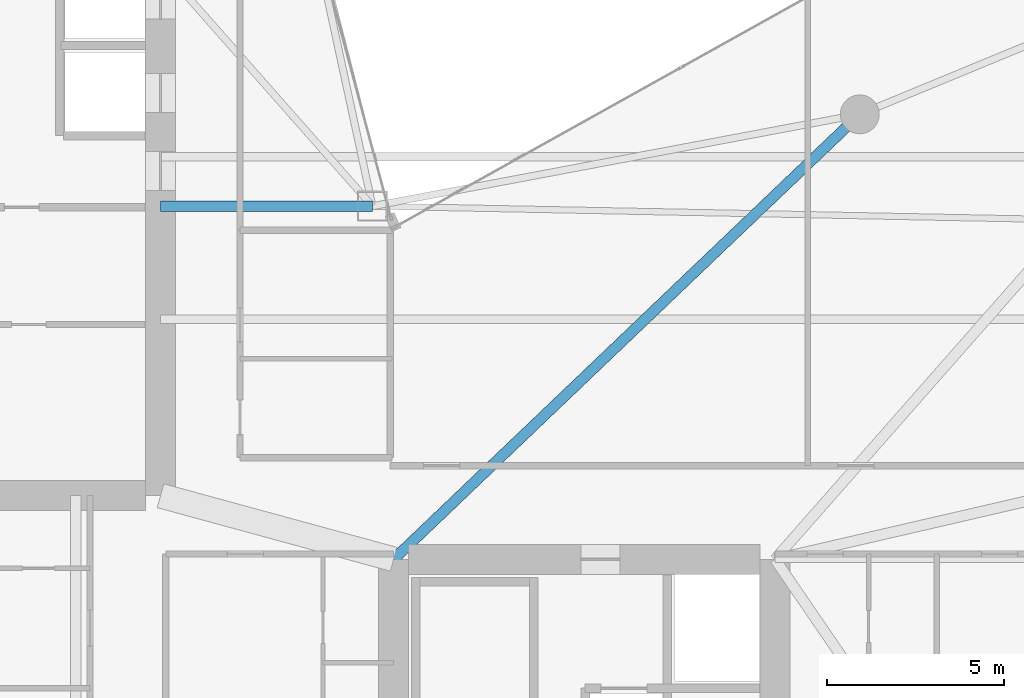
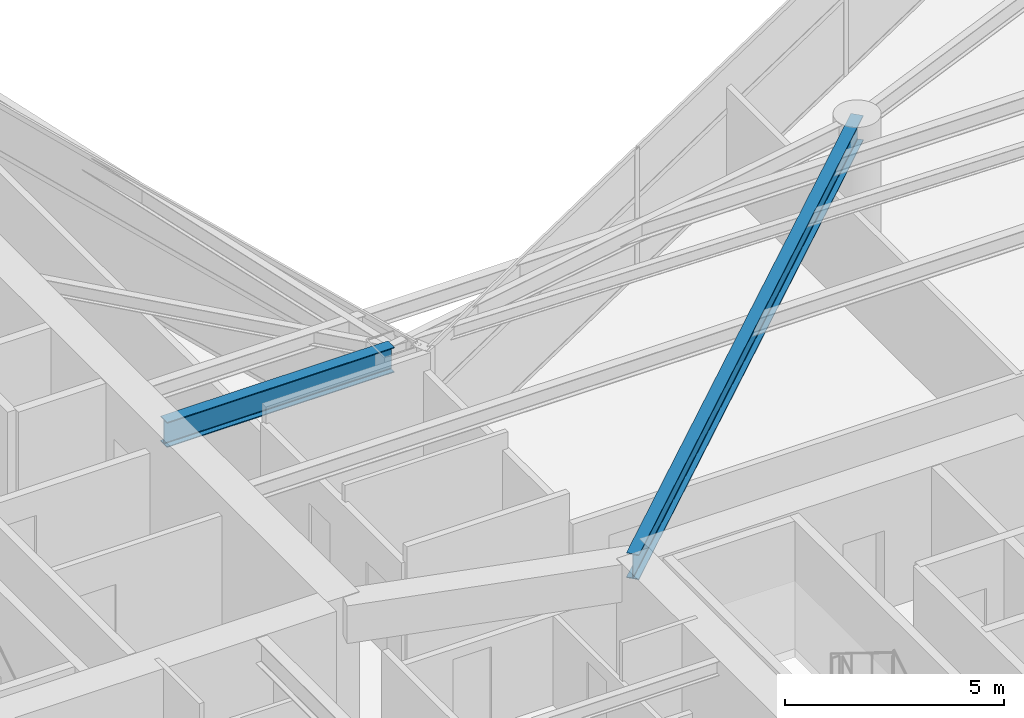
# One storey, part 9 of 28: 2 beams.
"""IFC4 building model written with IfcOpenShell, lengths in metres."""

from ifc_helpers import new_model, si_unit, direction, frame, origin, origin_2d, place, context, subcontext, project, spatial, i_section, extrude, material, material_profile, profile_set, type_object, element, save


model = new_model("IFC4")

# Units and contexts
model_context = context("Model", 3, precision=1e-05, world=origin(), true_north=direction((0.0, 1.0)))
body_context = subcontext(model_context, "Body", "Model", "MODEL_VIEW")
ifc_project = project(units=[si_unit("LENGTHUNIT", "METRE"), si_unit("AREAUNIT", "SQUARE_METRE"), si_unit("VOLUMEUNIT", "CUBIC_METRE"), si_unit("PLANEANGLEUNIT", "RADIAN"), si_unit("MASSUNIT", "GRAM", prefix="KILO")], contexts=[model_context])

# Site, building, storey
site_placement = place(None, origin())
site = spatial("IfcSite", under=ifc_project, at=site_placement, CompositionType="ELEMENT")
building_placement = place(site_placement, origin())
building = spatial("IfcBuilding", under=site, at=building_placement, Name="Calvorn Quay Hotel", CompositionType="ELEMENT")
storey_placement = place(building_placement, frame((0.0, 0.0, 108.800048828125)))
storey = spatial("IfcBuildingStorey", under=building, at=storey_placement, Name="L26", CompositionType="ELEMENT", Elevation=108.800048828125)

# Beams
ifc_material = material(Name="Steel Q390GJC", Category="steel")
ifc_material_profile = material_profile(ifc_material, i_section(OverallWidth=0.300048828125, OverallDepth=0.699951171875, WebThickness=0.012939453125, FlangeThickness=0.02392578125, FilletRadius=0.02392578125, at=origin_2d()), Name="HN700x300x13x24")
ifc_profile_set = profile_set([ifc_material_profile], Name="Steel Q390GJC")
beam_type = type_object("IfcBeamType", Name="BM-GIRD-MAIN", PredefinedType="BEAM", material=ifc_profile_set)
beam_1_placement = place(storey_placement, frame((21.0, 25.0, 3.18994140625), z_axis=(-1.0, 0.0, 0.0), x_axis=(0.0, -1.0, 0.0)))
element("IfcBeam", 1, at=beam_1_placement, inside=storey, type_object=beam_type, Name="Beam BG-L26-W7", PredefinedType="BEAM", context=body_context, shape_type="SweptSolid", body=[
    extrude(i_section(OverallWidth=0.300048828125, OverallDepth=0.699951171875, WebThickness=0.012939453125, FlangeThickness=0.02392578125, FilletRadius=0.02392578125, at=origin_2d()), origin(), (0.0, 0.0, 1.0), 6.0),
])
beam_2_placement = place(storey_placement, frame((21.60009765625, 15.0, 3.18994140625), z_axis=(0.723351595578, 0.690479883252, 0.0), x_axis=(-0.690479883252, 0.723351595578, 0.0)))
element("IfcBeam", 2, at=beam_2_placement, inside=storey, type_object=beam_type, Name="Beam BG-L26-E4", PredefinedType="BEAM", context=body_context, shape_type="SweptSolid", body=[
    extrude(i_section(OverallWidth=0.300048828125, OverallDepth=0.699951171875, WebThickness=0.012939453125, FlangeThickness=0.02392578125, FilletRadius=0.02392578125, at=origin_2d()), origin(), (0.0, 0.0, 1.0), 18.248291015625),
])

save(model, "model.ifc")
